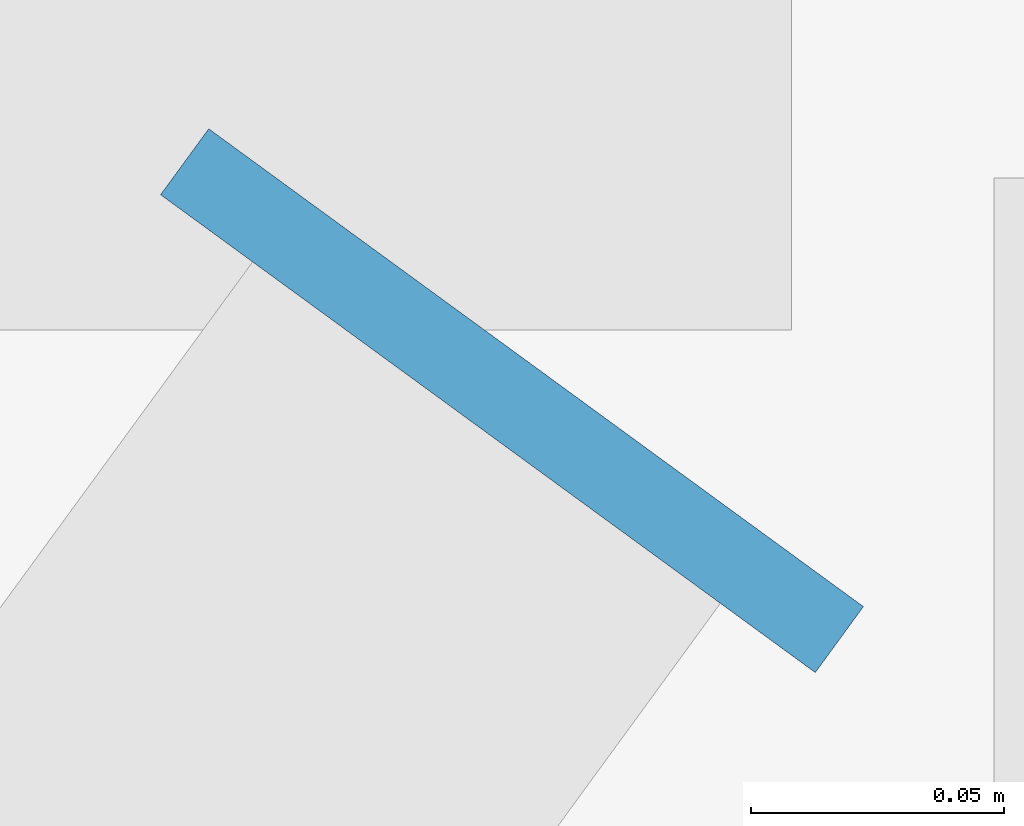
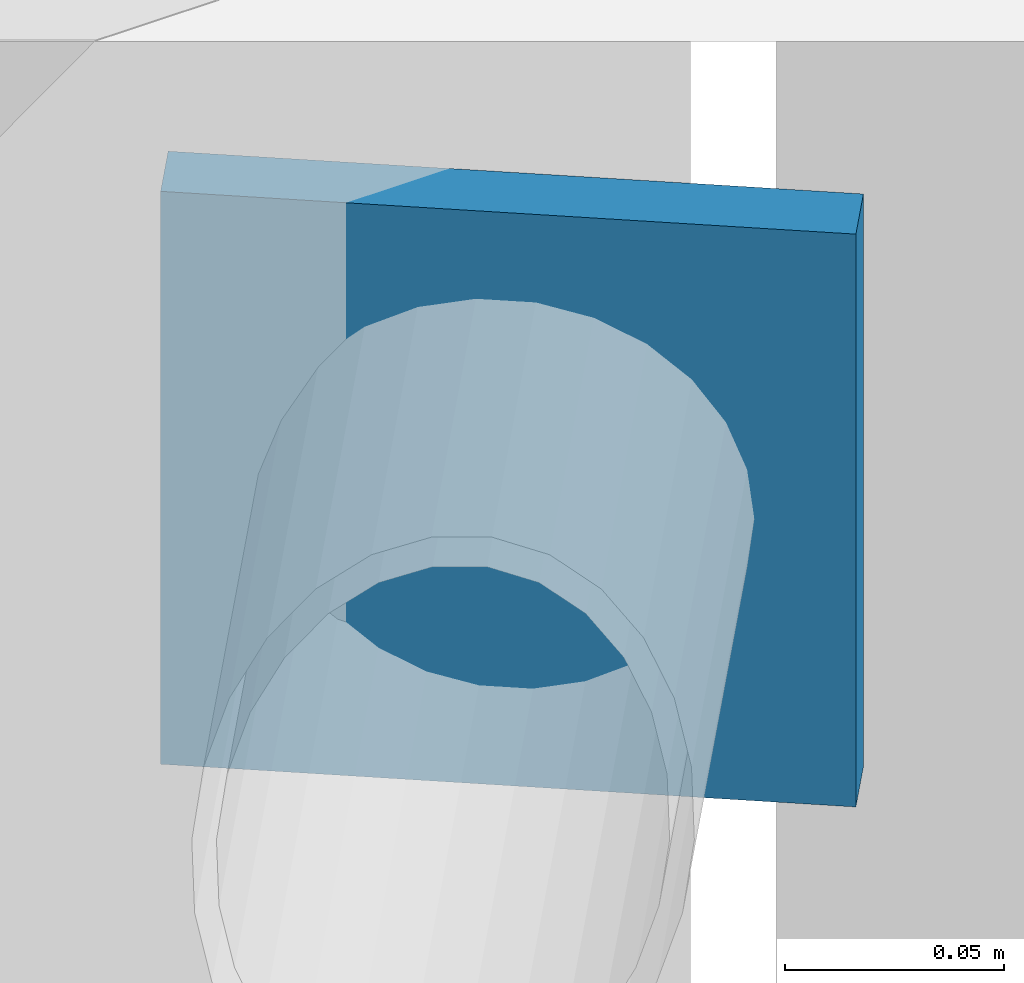
# One storey, part 55 of 95: 1 plate.
"""IFC4 building model written with IfcOpenShell, lengths in metres."""

from ifc_helpers import new_model, si_unit, derived_unit, direction, frame, origin, origin_2d, place, context, subcontext, project, spatial, rectangle, extrude, material, layer, layer_set, type_object, element, save


model = new_model("IFC4")

# Units and contexts
model_context = context("Model", 3, precision=1e-05, world=origin(), true_north=direction((0.0, 1.0)))
body_context = subcontext(model_context, "Body", "Model", "MODEL_VIEW")
ifc_project = project(units=[si_unit("LENGTHUNIT", "METRE"), si_unit("AREAUNIT", "SQUARE_METRE"), si_unit("VOLUMEUNIT", "CUBIC_METRE"), si_unit("PLANEANGLEUNIT", "RADIAN"), si_unit("MASSUNIT", "GRAM", prefix="KILO"), derived_unit("THERMALTRANSMITTANCEUNIT", [(si_unit("POWERUNIT", "WATT"), 1), (si_unit("LENGTHUNIT", "METRE"), -2), (si_unit("THERMODYNAMICTEMPERATUREUNIT", "KELVIN"), -1)])], contexts=[model_context])

# Site, building, storey
site_placement = place(None, origin())
site = spatial("IfcSite", under=ifc_project, at=site_placement, CompositionType="ELEMENT")
building_placement = place(site_placement, origin())
building = spatial("IfcBuilding", under=site, at=building_placement, Name="Braskholm Square Health Centre", CompositionType="ELEMENT")
storey_placement = place(building_placement, frame((0.0, 0.0, 4.800048828125)))
storey = spatial("IfcBuildingStorey", under=building, at=storey_placement, Name="L02", CompositionType="ELEMENT", Elevation=4.800048828125)

# Plate
ifc_material = material(Name="Steel ASTM A572 Grade 50", Category="steel")
ifc_layer = layer(ifc_material, 0.01611328125)
ifc_layer_set = layer_set([ifc_layer], Name="Steel ASTM A572 Grade 50")
plate_type = type_object("IfcPlateType", Name="CapPlateHSS152TN8", PredefinedType="USERDEFINED", material=ifc_layer_set)
plate_placement = place(storey_placement, frame((139.52490234375, 93.486083984375, -0.52978515625), z_axis=(0.0, 0.0, 1.0), x_axis=(-0.589534755664, -0.807743011027, 0.0)))
element("IfcPlate", 1, at=plate_placement, inside=storey, type_object=plate_type, Name="Hollow section end cap plate 0365", ObjectType="CAP_PLATE", PredefinedType="USERDEFINED", context=body_context, shape_type="SweptSolid", body=[
    extrude(rectangle(XDim=0.01611328125, YDim=0.159912109375, at=origin_2d()), origin(), (0.0, 0.0, 1.0), 0.159912109375),
])

save(model, "model.ifc")
